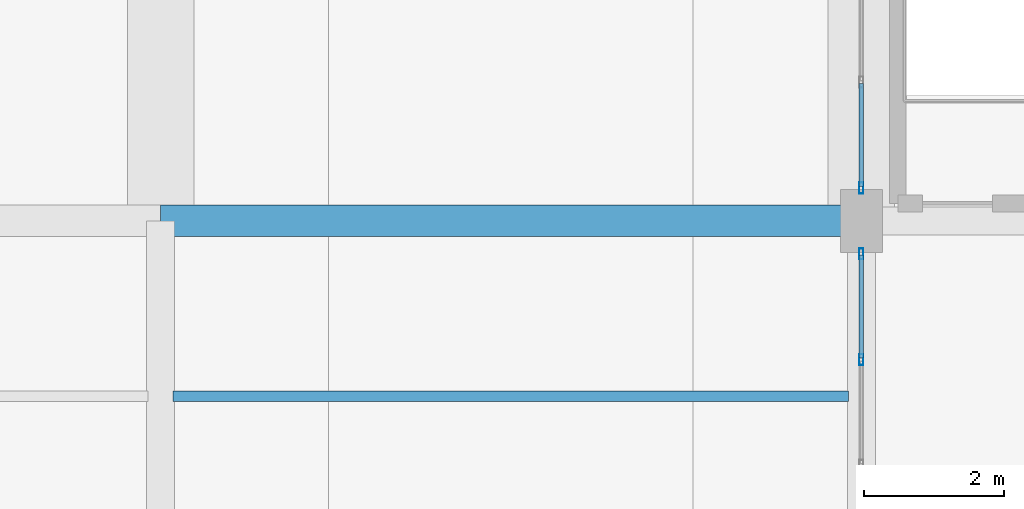
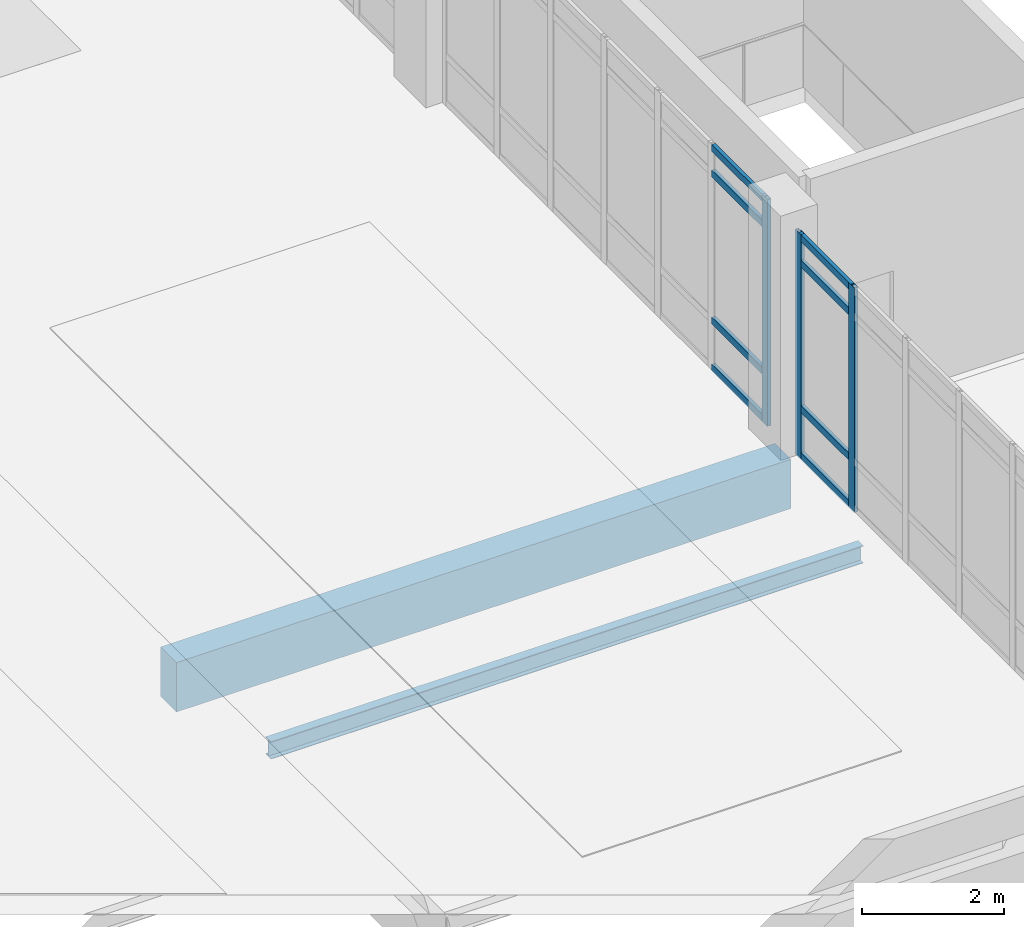
# One storey, part 48 of 161: 12 members, 1 beam, 2 elements without a shape of their own.
"""IFC4 building model written with IfcOpenShell, lengths in metres."""

from ifc_helpers import new_model, si_unit, direction, frame, origin, origin_2d, place, context, subcontext, project, spatial, rectangle, hollow_rectangle, i_section, extrude, material, layer, layer_set, material_profile, profile_set, type_object, element, aggregate, save


model = new_model("IFC4")

# Units and contexts
model_context = context("Model", 3, precision=1e-05, world=origin(), true_north=direction((0.0, 1.0)))
body_context = subcontext(model_context, "Body", "Model", "MODEL_VIEW")
ifc_project = project(units=[si_unit("LENGTHUNIT", "METRE"), si_unit("AREAUNIT", "SQUARE_METRE"), si_unit("VOLUMEUNIT", "CUBIC_METRE"), si_unit("PLANEANGLEUNIT", "RADIAN"), si_unit("MASSUNIT", "GRAM", prefix="KILO")], contexts=[model_context])

# Site, building, storey
site_placement = place(None, origin())
site = spatial("IfcSite", under=ifc_project, at=site_placement, CompositionType="ELEMENT")
building_placement = place(site_placement, origin())
building = spatial("IfcBuilding", under=site, at=building_placement, Name="Mersad Railyard Sports Hall", CompositionType="ELEMENT")
storey_placement = place(building_placement, frame((0.0, 0.0, 4.800048828125)))
storey = spatial("IfcBuildingStorey", under=building, at=storey_placement, Name="L01", CompositionType="ELEMENT", Elevation=4.800048828125)

# Curtain wall, members
ifc_material_1 = material(Name="Aluminium 6063-T6", Category="aluminium")
ifc_layer_1 = layer(ifc_material_1, 0.159912109375)
ifc_layer_set_1 = layer_set([ifc_layer_1], Name="Aluminium 6063-T6")
curtain_wall_type_1 = type_object("IfcCurtainWallType", Name="ARC-CW-CW14", PredefinedType="USERDEFINED", material=ifc_layer_set_1)
curtain_wall_1_placement = place(storey_placement, origin())
curtain_wall_1 = element("IfcCurtainWall", 1, at=curtain_wall_1_placement, inside=storey, type_object=curtain_wall_type_1, Name="Curtain wall CW14-0064", ObjectType="CURTAIN WALL", PredefinedType="USERDEFINED")
ifc_material_profile_1 = material_profile(ifc_material_1, hollow_rectangle(XDim=0.06005859375, YDim=0.159912109375, WallThickness=0.00390625, at=origin_2d()), Name="AL MULLION 60x160x4")
ifc_profile_set_1 = profile_set([ifc_material_profile_1], Name="Aluminium 6063-T6")
member_type_1 = type_object("IfcMemberType", Name="ARC-CW-MUL01", PredefinedType="MULLION", material=ifc_profile_set_1)
member_1_placement = place(storey_placement, frame((131.0, 11.52001953125, -0.02001953125), z_axis=(0.0, 0.0, 1.0), x_axis=(1.0, 0.0, 0.0)))
member_1 = element("IfcMember", 2, at=member_1_placement, type_object=member_type_1, Name="CW14 Mullion 6", PredefinedType="MULLION", context=body_context, shape_type="SweptSolid", body=[
    extrude(hollow_rectangle(XDim=0.06005859375, YDim=0.159912109375, WallThickness=0.00390625, at=origin_2d()), origin(), (0.0, 0.0, 1.0), 3.869873046875),
])
member_2_placement = place(storey_placement, frame((131.0, 13.030029296875, -0.02001953125), z_axis=(0.0, 0.0, 1.0), x_axis=(1.0, 0.0, 0.0)))
member_2 = element("IfcMember", 3, at=member_2_placement, type_object=member_type_1, Name="CW14 Mullion 7", PredefinedType="MULLION", context=body_context, shape_type="SweptSolid", body=[
    extrude(hollow_rectangle(XDim=0.06005859375, YDim=0.159912109375, WallThickness=0.00390625, at=origin_2d()), origin(), (0.0, 0.0, 1.0), 3.869873046875),
])

# Curtain wall, member
ifc_layer_2 = layer(ifc_material_1, 0.159912109375)
ifc_layer_set_2 = layer_set([ifc_layer_2], Name="Aluminium 6063-T6")
curtain_wall_type_2 = type_object("IfcCurtainWallType", Name="ARC-CW-CW25", PredefinedType="USERDEFINED", material=ifc_layer_set_2)
curtain_wall_2_placement = place(storey_placement, origin())
curtain_wall_2 = element("IfcCurtainWall", 4, at=curtain_wall_2_placement, inside=storey, type_object=curtain_wall_type_2, Name="Curtain wall CW25-0066", ObjectType="CURTAIN WALL", PredefinedType="USERDEFINED")
member_3_placement = place(storey_placement, frame((131.0, 13.969970703125, -0.02001953125), z_axis=(0.0, 0.0, 1.0), x_axis=(1.0, 0.0, 0.0)))
member_3 = element("IfcMember", 5, at=member_3_placement, type_object=member_type_1, Name="CW25 Mullion 1", PredefinedType="MULLION", context=body_context, shape_type="SweptSolid", body=[
    extrude(hollow_rectangle(XDim=0.06005859375, YDim=0.159912109375, WallThickness=0.00390625, at=origin_2d()), origin(), (0.0, 0.0, 1.0), 3.89990234375),
])

# Member
ifc_material_profile_2 = material_profile(ifc_material_1, hollow_rectangle(XDim=0.06005859375, YDim=0.1201171875, WallThickness=0.00390625, at=origin_2d()), Name="AL TRANSOM 60x120x4")
ifc_profile_set_2 = profile_set([ifc_material_profile_2], Name="Aluminium 6063-T6")
member_type_2 = type_object("IfcMemberType", Name="ARC-CW-TRN01", PredefinedType="USERDEFINED", material=ifc_profile_set_2)
member_4_placement = place(storey_placement, frame((131.0, 11.5400390625, 0.0400390625), z_axis=(0.0, 1.0, 0.0), x_axis=(-1.0, 0.0, 0.0)))
member_4 = element("IfcMember", 6, at=member_4_placement, type_object=member_type_2, Name="CW14 Transom 1-6", ObjectType="TRANSOM", PredefinedType="USERDEFINED", context=body_context, shape_type="SweptSolid", body=[
    extrude(hollow_rectangle(XDim=0.06005859375, YDim=0.1201171875, WallThickness=0.00390625, at=origin_2d()), origin(), (0.0, 0.0, 1.0), 1.469970703125),
])

member_5_placement = place(storey_placement, frame((131.0, 11.5400390625, 0.849853515625), z_axis=(0.0, 1.0, 0.0), x_axis=(-1.0, 0.0, 0.0)))
member_5 = element("IfcMember", 7, at=member_5_placement, type_object=member_type_2, Name="CW14 Transom 2-6", ObjectType="TRANSOM", PredefinedType="USERDEFINED", context=body_context, shape_type="SweptSolid", body=[
    extrude(hollow_rectangle(XDim=0.06005859375, YDim=0.1201171875, WallThickness=0.00390625, at=origin_2d()), origin(), (0.0, 0.0, 1.0), 1.469970703125),
])

member_6_placement = place(storey_placement, frame((131.0, 11.5400390625, 3.349853515625), z_axis=(0.0, 1.0, 0.0), x_axis=(-1.0, 0.0, 0.0)))
member_6 = element("IfcMember", 8, at=member_6_placement, type_object=member_type_2, Name="CW14 Transom 3-6", ObjectType="TRANSOM", PredefinedType="USERDEFINED", context=body_context, shape_type="SweptSolid", body=[
    extrude(hollow_rectangle(XDim=0.06005859375, YDim=0.1201171875, WallThickness=0.00390625, at=origin_2d()), origin(), (0.0, 0.0, 1.0), 1.469970703125),
])

member_7_placement = place(storey_placement, frame((131.0, 11.5400390625, 3.7900390625), z_axis=(0.0, 1.0, 0.0), x_axis=(-1.0, 0.0, 0.0)))
member_7 = element("IfcMember", 9, at=member_7_placement, type_object=member_type_2, Name="CW14 Transom 4-6", ObjectType="TRANSOM", PredefinedType="USERDEFINED", context=body_context, shape_type="SweptSolid", body=[
    extrude(hollow_rectangle(XDim=0.06005859375, YDim=0.1201171875, WallThickness=0.00390625, at=origin_2d()), origin(), (0.0, 0.0, 1.0), 1.469970703125),
])

aggregate(curtain_wall_1, [member_1, member_2, member_4, member_5, member_6, member_7])

member_8_placement = place(storey_placement, frame((131.0, 13.989990234375, 0.0400390625), z_axis=(0.0, 1.0, 0.0), x_axis=(-1.0, 0.0, 0.0)))
member_8 = element("IfcMember", 10, at=member_8_placement, type_object=member_type_2, Name="CW25 Transom 1-1", ObjectType="TRANSOM", PredefinedType="USERDEFINED", context=body_context, shape_type="SweptSolid", body=[
    extrude(hollow_rectangle(XDim=0.06005859375, YDim=0.1201171875, WallThickness=0.00390625, at=origin_2d()), origin(), (0.0, 0.0, 1.0), 1.469970703125),
])

member_9_placement = place(storey_placement, frame((131.0, 13.989990234375, 0.849853515625), z_axis=(0.0, 1.0, 0.0), x_axis=(-1.0, 0.0, 0.0)))
member_9 = element("IfcMember", 11, at=member_9_placement, type_object=member_type_2, Name="CW25 Transom 2-1", ObjectType="TRANSOM", PredefinedType="USERDEFINED", context=body_context, shape_type="SweptSolid", body=[
    extrude(hollow_rectangle(XDim=0.06005859375, YDim=0.1201171875, WallThickness=0.00390625, at=origin_2d()), origin(), (0.0, 0.0, 1.0), 1.469970703125),
])

member_10_placement = place(storey_placement, frame((131.0, 13.989990234375, 3.3798828125), z_axis=(0.0, 1.0, 0.0), x_axis=(-1.0, 0.0, 0.0)))
member_10 = element("IfcMember", 12, at=member_10_placement, type_object=member_type_2, Name="CW25 Transom 3-1", ObjectType="TRANSOM", PredefinedType="USERDEFINED", context=body_context, shape_type="SweptSolid", body=[
    extrude(hollow_rectangle(XDim=0.06005859375, YDim=0.1201171875, WallThickness=0.00390625, at=origin_2d()), origin(), (0.0, 0.0, 1.0), 1.469970703125),
])

member_11_placement = place(storey_placement, frame((131.0, 13.989990234375, 3.820068359375), z_axis=(0.0, 1.0, 0.0), x_axis=(-1.0, 0.0, 0.0)))
member_11 = element("IfcMember", 13, at=member_11_placement, type_object=member_type_2, Name="CW25 Transom 4-1", ObjectType="TRANSOM", PredefinedType="USERDEFINED", context=body_context, shape_type="SweptSolid", body=[
    extrude(hollow_rectangle(XDim=0.06005859375, YDim=0.1201171875, WallThickness=0.00390625, at=origin_2d()), origin(), (0.0, 0.0, 1.0), 1.469970703125),
])

aggregate(curtain_wall_2, [member_3, member_8, member_9, member_10, member_11])

# Beam
ifc_material_2 = material(Name="Concrete C40/50", Category="concrete")
ifc_material_profile_3 = material_profile(ifc_material_2, rectangle(XDim=0.449951171875, YDim=0.85009765625, at=origin_2d()), Name="RC 450x850")
ifc_profile_set_3 = profile_set([ifc_material_profile_3], Name="Concrete C40/50")
beam_type = type_object("IfcBeamType", Name="STR-BM-B02", PredefinedType="BEAM", material=ifc_profile_set_3)
beam_placement = place(storey_placement, frame((121.0, 13.5, -0.64501953125), z_axis=(1.0, 0.0, 0.0), x_axis=(0.0, 1.0, 0.0)))
element("IfcBeam", 14, at=beam_placement, inside=storey, type_object=beam_type, Name="Beam B02-0596", PredefinedType="BEAM", context=body_context, shape_type="SweptSolid", body=[
    extrude(rectangle(XDim=0.449951171875, YDim=0.85009765625, at=origin_2d()), origin(), (0.0, 0.0, 1.0), 10.0),
])

# Member
ifc_material_3 = material(Name="Steel S355", Category="steel")
ifc_material_profile_4 = material_profile(ifc_material_3, i_section(OverallWidth=0.14990234375, OverallDepth=0.300048828125, WebThickness=0.007080078125, FlangeThickness=0.0107421875, at=origin_2d()), Name="IPE 300")
ifc_profile_set_4 = profile_set([ifc_material_profile_4], Name="Steel S355")
member_type_3 = type_object("IfcMemberType", Name="STR-MEM-PU02", PredefinedType="PURLIN", material=ifc_profile_set_4)
member_12_placement = place(storey_placement, frame((121.179931640625, 11.0, -0.3701171875), z_axis=(1.0, 0.0, 0.0), x_axis=(0.0, 1.0, 0.0)))
element("IfcMember", 15, at=member_12_placement, inside=storey, type_object=member_type_3, Name="Structural member PU02-0383", PredefinedType="PURLIN", context=body_context, shape_type="SweptSolid", body=[
    extrude(i_section(OverallWidth=0.14990234375, OverallDepth=0.300048828125, WebThickness=0.007080078125, FlangeThickness=0.0107421875, at=origin_2d()), origin(), (0.0, 0.0, 1.0), 9.64013671875),
])

save(model, "model.ifc")
